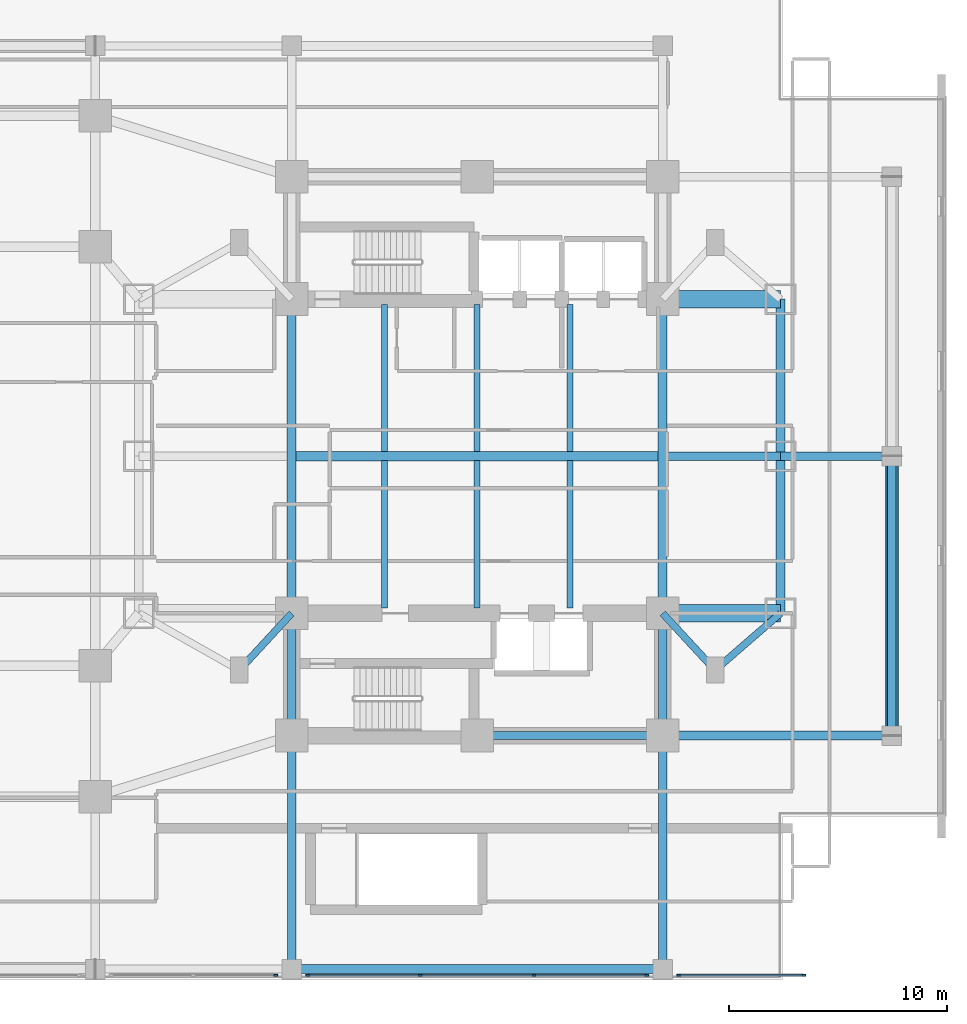
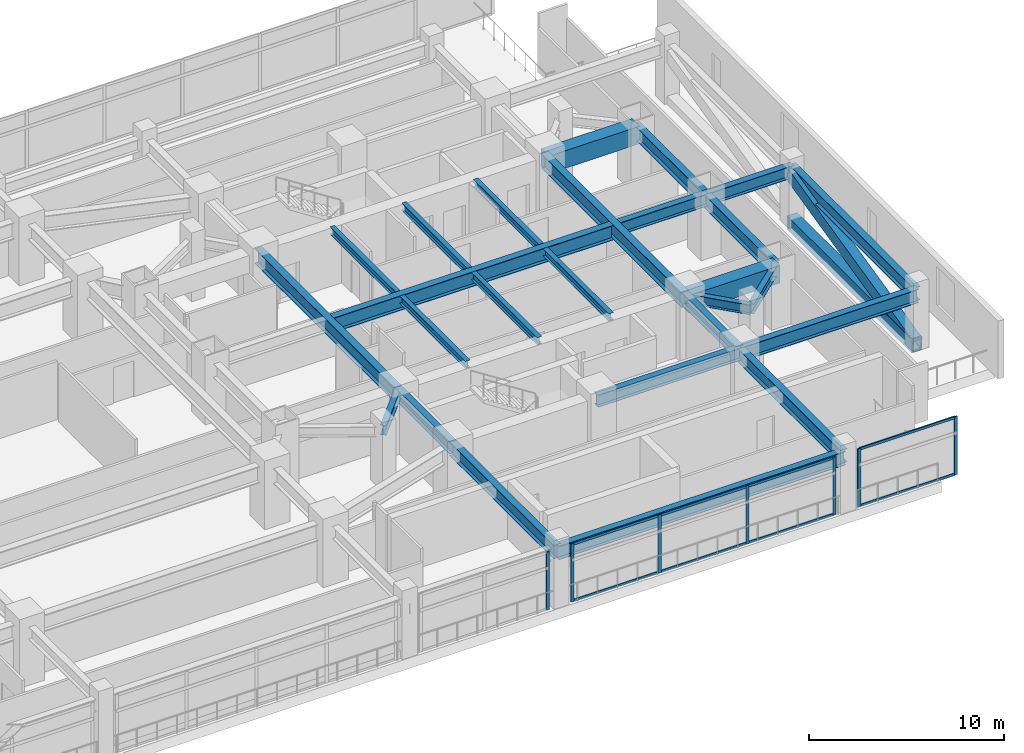
# One storey, part 8 of 27: 26 beams, 17 members, 3 elements without a shape of their own.
"""IFC4 building model written with IfcOpenShell, lengths in metres."""

from ifc_helpers import new_model, si_unit, direction, frame, origin, origin_2d, place, context, subcontext, project, spatial, rectangle, hollow_rectangle, i_section, extrude, material, material_profile, profile_set, type_object, element, aggregate, save


model = new_model("IFC4")

# Units and contexts
model_context = context("Model", 3, precision=1e-05, world=origin(), true_north=direction((0.0, 1.0)))
body_context = subcontext(model_context, "Body", "Model", "MODEL_VIEW")
ifc_project = project(units=[si_unit("LENGTHUNIT", "METRE"), si_unit("AREAUNIT", "SQUARE_METRE"), si_unit("VOLUMEUNIT", "CUBIC_METRE"), si_unit("PLANEANGLEUNIT", "RADIAN"), si_unit("MASSUNIT", "GRAM", prefix="KILO")], contexts=[model_context])

# Site, building, storey
site_placement = place(None, origin())
site = spatial("IfcSite", under=ifc_project, at=site_placement, CompositionType="ELEMENT")
building_placement = place(site_placement, origin())
building = spatial("IfcBuilding", under=site, at=building_placement, Name="Mirazonda Arch Towers", CompositionType="ELEMENT")
storey_placement = place(building_placement, frame((0.0, 0.0, 18.10009765625)))
storey = spatial("IfcBuildingStorey", under=building, at=storey_placement, Name="L04", CompositionType="ELEMENT", Elevation=18.10009765625)

# Beams
ifc_material_1 = material(Name="Steel ASTM A992 Grade 50", Category="steel")
ifc_material_profile_1 = material_profile(ifc_material_1, i_section(OverallWidth=0.39990234375, OverallDepth=0.85595703125, WebThickness=0.018310546875, FlangeThickness=0.029296875, at=origin_2d()), Name="W33X201")
ifc_profile_set_1 = profile_set([ifc_material_profile_1], Name="Steel ASTM A992 Grade 50")
beam_type_1 = type_object("IfcBeamType", Name="BM-EXT-W33X201", PredefinedType="USERDEFINED", material=ifc_profile_set_1)
for number, where, z_axis, x_axis, name in (
    (1, (90.39990234375, 20.800048828125, 3.221923828125), (0.0, 1.0, 0.0), (-1.0, 0.0, 0.0), "L04 Floor Beam BM-T2-L04-NS-E-20"),
    (2, (90.39990234375, 28.0, 3.221923828125), (0.0, 1.0, 0.0), (-1.0, 0.0, 0.0), "L04 Floor Beam BM-T2-L04-NS-E-28"),
):
    element("IfcBeam", number, at=place(storey_placement, frame(where, z_axis=z_axis, x_axis=x_axis)), inside=storey, type_object=beam_type_1, Name=name, ObjectType="GIRDER", PredefinedType="USERDEFINED", context=body_context, shape_type="SweptSolid", body=[
        extrude(i_section(OverallWidth=0.39990234375, OverallDepth=0.85595703125, WebThickness=0.018310546875, FlangeThickness=0.029296875, at=origin_2d()), origin(), (0.0, 0.0, 1.0), 7.199951171875),
    ])
beam_1_placement = place(storey_placement, frame((68.0, 4.5, 3.221923828125), z_axis=(1.0, 0.0, 0.0), x_axis=(0.0, 1.0, 0.0)))
element("IfcBeam", 3, at=beam_1_placement, inside=storey, type_object=beam_type_1, Name="L04 Floor Beam BM-POD-L04-PS-5", ObjectType="GIRDER", PredefinedType="USERDEFINED", context=body_context, shape_type="SweptSolid", body=[
    extrude(i_section(OverallWidth=0.39990234375, OverallDepth=0.85595703125, WebThickness=0.018310546875, FlangeThickness=0.029296875, at=origin_2d()), origin(), (0.0, 0.0, 1.0), 17.0),
])
beam_2_placement = place(storey_placement, frame((95.5, 15.199951171875, 3.221923828125), z_axis=(0.0, 1.0, 0.0), x_axis=(-1.0, 0.0, 0.0)))
element("IfcBeam", 4, at=beam_2_placement, inside=storey, type_object=beam_type_1, Name="L04 Floor Beam BM-POD-L04-PE-1", ObjectType="GIRDER", PredefinedType="USERDEFINED", context=body_context, shape_type="SweptSolid", body=[
    extrude(i_section(OverallWidth=0.39990234375, OverallDepth=0.85595703125, WebThickness=0.018310546875, FlangeThickness=0.029296875, at=origin_2d()), origin(), (0.0, 0.0, 1.0), 12.800048828125),
])
ifc_material_profile_2 = material_profile(ifc_material_1, i_section(OverallWidth=0.280029296875, OverallDepth=0.462890625, WebThickness=0.0107421875, FlangeThickness=0.017333984375, at=origin_2d()), Name="W18X76")
ifc_profile_set_2 = profile_set([ifc_material_profile_2], Name="Steel ASTM A992 Grade 50")
beam_type_2 = type_object("IfcBeamType", Name="BM-INT-W18X76", PredefinedType="JOIST", material=ifc_profile_set_2)
for number, where, z_axis, x_axis, name in (
    (5, (72.25, 21.0400390625, 3.41845703125), (0.0, 1.0, 0.0), (-1.0, 0.0, 0.0), "L04 Floor Beam BM-T2-L04-J-722-20"),
    (6, (72.25, 28.205078125, 3.41845703125), (0.0, 1.0, 0.0), (-1.0, 0.0, 0.0), "L04 Floor Beam BM-T2-L04-J-722-28"),
    (7, (76.5, 21.0400390625, 3.41845703125), (0.0, 1.0, 0.0), (-1.0, 0.0, 0.0), "L04 Floor Beam BM-T2-L04-J-765-20"),
    (8, (76.5, 28.205078125, 3.41845703125), (0.0, 1.0, 0.0), (-1.0, 0.0, 0.0), "L04 Floor Beam BM-T2-L04-J-765-28"),
    (9, (80.75, 21.0400390625, 3.41845703125), (0.0, 1.0, 0.0), (-1.0, 0.0, 0.0), "L04 Floor Beam BM-T2-L04-J-807-20"),
    (10, (80.75, 28.205078125, 3.41845703125), (0.0, 1.0, 0.0), (-1.0, 0.0, 0.0), "L04 Floor Beam BM-T2-L04-J-807-28"),
):
    element("IfcBeam", number, at=place(storey_placement, frame(where, z_axis=z_axis, x_axis=x_axis)), inside=storey, type_object=beam_type_2, Name=name, PredefinedType="JOIST", context=body_context, shape_type="SweptSolid", body=[
        extrude(i_section(OverallWidth=0.280029296875, OverallDepth=0.462890625, WebThickness=0.0107421875, FlangeThickness=0.017333984375, at=origin_2d()), origin(), (0.0, 0.0, 1.0), 6.7548828125),
    ])
ifc_material_profile_3 = material_profile(ifc_material_1, i_section(OverallWidth=0.324951171875, OverallDepth=0.615966796875, WebThickness=0.013916015625, FlangeThickness=0.021484375, at=origin_2d()), Name="W24X117")
ifc_profile_set_3 = profile_set([ifc_material_profile_3], Name="Steel ASTM A992 Grade 50")
beam_type_3 = type_object("IfcBeamType", Name="BM-INT-W24X117", PredefinedType="BEAM", material=ifc_profile_set_3)
for number, where, z_axis, x_axis, name in (
    (11, (65.60009765625, 18.199951171875, 3.341796875), (0.678251444854, 0.734829897019, 0.0), (-0.734829897019, 0.678251444854, 0.0), "L04 Floor Beam BM-T2-L04-PL-SW1"),
    (12, (87.39990234375, 18.199951171875, 3.341796875), (-0.678251444854, 0.734829897019, 0.0), (-0.734829897019, -0.678251444854, 0.0), "L04 Floor Beam BM-T2-L04-PL-SE1"),
):
    element("IfcBeam", number, at=place(storey_placement, frame(where, z_axis=z_axis, x_axis=x_axis)), inside=storey, type_object=beam_type_3, Name=name, PredefinedType="BEAM", context=body_context, shape_type="SweptSolid", body=[
        extrude(i_section(OverallWidth=0.324951171875, OverallDepth=0.615966796875, WebThickness=0.013916015625, FlangeThickness=0.021484375, at=origin_2d()), origin(), (0.0, 0.0, 1.0), 3.538330078125),
    ])
beam_3_placement = place(storey_placement, frame((87.39990234375, 18.199951171875, 3.341796875), z_axis=(0.755676908098, 0.654944585876, 0.0), x_axis=(-0.654944585876, 0.755676908098, 0.0)))
element("IfcBeam", 13, at=beam_3_placement, inside=storey, type_object=beam_type_3, Name="L04 Floor Beam BM-T2-L04-PL-SE2", PredefinedType="BEAM", context=body_context, shape_type="SweptSolid", body=[
    extrude(i_section(OverallWidth=0.324951171875, OverallDepth=0.615966796875, WebThickness=0.013916015625, FlangeThickness=0.021484375, at=origin_2d()), origin(), (0.0, 0.0, 1.0), 3.969970703125),
])
ifc_material_profile_4 = material_profile(ifc_material_1, i_section(OverallWidth=0.381103515625, OverallDepth=0.77294921875, WebThickness=0.0166015625, FlangeThickness=0.027099609375, at=origin_2d()), Name="W30X173")
ifc_profile_set_4 = profile_set([ifc_material_profile_4], Name="Steel ASTM A992 Grade 50")
beam_type_4 = type_object("IfcBeamType", Name="BM-INT-W30X173", PredefinedType="USERDEFINED", material=ifc_profile_set_4)
beam_4_placement = place(storey_placement, frame((76.5, 15.199951171875, 3.263427734375), z_axis=(1.0, 0.0, 0.0), x_axis=(0.0, 1.0, 0.0)))
element("IfcBeam", 14, at=beam_4_placement, inside=storey, type_object=beam_type_4, Name="L04 Floor Beam BM-T2-L04-CS2", ObjectType="GIRDER", PredefinedType="USERDEFINED", context=body_context, shape_type="SweptSolid", body=[
    extrude(i_section(OverallWidth=0.381103515625, OverallDepth=0.77294921875, WebThickness=0.0166015625, FlangeThickness=0.027099609375, at=origin_2d()), origin(), (0.0, 0.0, 1.0), 8.5),
])
for number, where, z_axis, x_axis, name in (
    (15, (68.0, 15.199951171875, 3.263427734375), (0.0, 1.0, 0.0), (-1.0, 0.0, 0.0), "L04 Floor Beam BM-T2-L04-CSW"),
    (16, (85.0, 15.199951171875, 3.263427734375), (0.0, 1.0, 0.0), (-1.0, 0.0, 0.0), "L04 Floor Beam BM-T2-L04-CSE"),
):
    element("IfcBeam", number, at=place(storey_placement, frame(where, z_axis=z_axis, x_axis=x_axis)), inside=storey, type_object=beam_type_4, Name=name, ObjectType="GIRDER", PredefinedType="USERDEFINED", context=body_context, shape_type="SweptSolid", body=[
        extrude(i_section(OverallWidth=0.381103515625, OverallDepth=0.77294921875, WebThickness=0.0166015625, FlangeThickness=0.027099609375, at=origin_2d()), origin(), (0.0, 0.0, 1.0), 5.60009765625),
    ])
beam_5_placement = place(storey_placement, frame((85.208984375, 28.0, 3.263427734375), z_axis=(1.0, 0.0, 0.0), x_axis=(0.0, 1.0, 0.0)))
element("IfcBeam", 17, at=beam_5_placement, inside=storey, type_object=beam_type_4, Name="L04 Floor Beam BM-T2-L04-GE2", ObjectType="GIRDER", PredefinedType="USERDEFINED", context=body_context, shape_type="SweptSolid", body=[
    extrude(i_section(OverallWidth=0.381103515625, OverallDepth=0.77294921875, WebThickness=0.0166015625, FlangeThickness=0.027099609375, at=origin_2d()), origin(), (0.0, 0.0, 1.0), 5.19091796875),
])
beam_6_placement = place(storey_placement, frame((90.39990234375, 28.0, 3.263427734375), z_axis=(1.0, 0.0, 0.0), x_axis=(0.0, 1.0, 0.0)))
element("IfcBeam", 18, at=beam_6_placement, inside=storey, type_object=beam_type_4, Name="L04 Floor Beam BM-POD-L04-PCE-2", ObjectType="GIRDER", PredefinedType="USERDEFINED", context=body_context, shape_type="SweptSolid", body=[
    extrude(i_section(OverallWidth=0.381103515625, OverallDepth=0.77294921875, WebThickness=0.0166015625, FlangeThickness=0.027099609375, at=origin_2d()), origin(), (0.0, 0.0, 1.0), 5.10009765625),
])
ifc_material_profile_5 = material_profile(ifc_material_1, i_section(OverallWidth=0.39990234375, OverallDepth=0.85595703125, WebThickness=0.018310546875, FlangeThickness=0.029296875, at=origin_2d()), Name="W33X201")
ifc_profile_set_5 = profile_set([ifc_material_profile_5], Name="Steel ASTM A992 Grade 50")
beam_type_5 = type_object("IfcBeamType", Name="BM-INT-W33X201", PredefinedType="USERDEFINED", material=ifc_profile_set_5)
for number, where, z_axis, x_axis, name in (
    (19, (68.0, 4.5, 3.221923828125), (0.0, 1.0, 0.0), (-1.0, 0.0, 0.0), "L04 Floor Beam BM-POD-L04-PCS-6"),
    (20, (85.0, 4.5, 3.221923828125), (0.0, 1.0, 0.0), (-1.0, 0.0, 0.0), "L04 Floor Beam BM-POD-L04-PCS-7"),
):
    element("IfcBeam", number, at=place(storey_placement, frame(where, z_axis=z_axis, x_axis=x_axis)), inside=storey, type_object=beam_type_5, Name=name, ObjectType="GIRDER", PredefinedType="USERDEFINED", context=body_context, shape_type="SweptSolid", body=[
        extrude(i_section(OverallWidth=0.39990234375, OverallDepth=0.85595703125, WebThickness=0.018310546875, FlangeThickness=0.029296875, at=origin_2d()), origin(), (0.0, 0.0, 1.0), 10.699951171875),
    ])
beam_7_placement = place(storey_placement, frame((85.0, 15.199951171875, 3.221923828125), z_axis=(1.0, 0.0, 0.0), x_axis=(0.0, 1.0, 0.0)))
element("IfcBeam", 21, at=beam_7_placement, inside=storey, type_object=beam_type_5, Name="L04 Floor Beam BM-POD-L04-PCE-1", ObjectType="GIRDER", PredefinedType="USERDEFINED", context=body_context, shape_type="SweptSolid", body=[
    extrude(i_section(OverallWidth=0.39990234375, OverallDepth=0.85595703125, WebThickness=0.018310546875, FlangeThickness=0.029296875, at=origin_2d()), origin(), (0.0, 0.0, 1.0), 10.5),
])
ifc_material_profile_6 = material_profile(ifc_material_1, i_section(OverallWidth=0.41796875, OverallDepth=0.927001953125, WebThickness=0.019287109375, FlangeThickness=0.031982421875, at=origin_2d()), Name="W36X231")
ifc_profile_set_6 = profile_set([ifc_material_profile_6], Name="Steel ASTM A992 Grade 50")
beam_type_6 = type_object("IfcBeamType", Name="BM-INT-W36X231", PredefinedType="USERDEFINED", material=ifc_profile_set_6)
beam_8_placement = place(storey_placement, frame((68.208984375, 28.0, 3.1865234375), z_axis=(1.0, 0.0, 0.0), x_axis=(0.0, 1.0, 0.0)))
element("IfcBeam", 22, at=beam_8_placement, inside=storey, type_object=beam_type_6, Name="L04 Floor Beam BM-T2-L04-GC2", ObjectType="GIRDER", PredefinedType="USERDEFINED", context=body_context, shape_type="SweptSolid", body=[
    extrude(i_section(OverallWidth=0.41796875, OverallDepth=0.927001953125, WebThickness=0.019287109375, FlangeThickness=0.031982421875, at=origin_2d()), origin(), (0.0, 0.0, 1.0), 16.58203125),
])
for number, where, z_axis, x_axis, name in (
    (23, (68.0, 20.800048828125, 3.1865234375), (0.0, 1.0, 0.0), (-1.0, 0.0, 0.0), "L04 Floor Beam BM-T2-L04-NS-CW-FULL"),
    (24, (85.0, 20.800048828125, 3.1865234375), (0.0, 1.0, 0.0), (-1.0, 0.0, 0.0), "L04 Floor Beam BM-T2-L04-NS-CE-FULL"),
):
    element("IfcBeam", number, at=place(storey_placement, frame(where, z_axis=z_axis, x_axis=x_axis)), inside=storey, type_object=beam_type_6, Name=name, ObjectType="GIRDER", PredefinedType="USERDEFINED", context=body_context, shape_type="SweptSolid", body=[
        extrude(i_section(OverallWidth=0.41796875, OverallDepth=0.927001953125, WebThickness=0.019287109375, FlangeThickness=0.031982421875, at=origin_2d()), origin(), (0.0, 0.0, 1.0), 14.39990234375),
    ])
ifc_material_2 = material(Name="Concrete C60/75", Category="concrete")
ifc_material_profile_7 = material_profile(ifc_material_2, rectangle(XDim=0.800048828125, YDim=1.10009765625, at=origin_2d()), Name="RCCB800x1100")
ifc_profile_set_7 = profile_set([ifc_material_profile_7], Name="Concrete C60/75")
beam_type_7 = type_object("IfcBeamType", Name="CB-INT-RCCB800x1100", PredefinedType="SPANDREL", material=ifc_profile_set_7)
for number, where, z_axis, x_axis, name in (
    (25, (85.0, 35.199951171875, 3.099853515625), (1.0, 0.0, 0.0), (0.0, 1.0, 0.0), "L04 Floor Beam CB-T2-L04-NE"),
    (26, (85.0, 20.800048828125, 3.099853515625), (1.0, 0.0, 0.0), (0.0, 1.0, 0.0), "L04 Floor Beam CB-T2-L04-SE"),
):
    element("IfcBeam", number, at=place(storey_placement, frame(where, z_axis=z_axis, x_axis=x_axis)), inside=storey, type_object=beam_type_7, Name=name, PredefinedType="SPANDREL", context=body_context, shape_type="SweptSolid", body=[
        extrude(rectangle(XDim=0.800048828125, YDim=1.10009765625, at=origin_2d()), origin(), (0.0, 0.0, 1.0), 5.39990234375),
    ])

# Members
ifc_material_3 = material(Name="Steel ASTM A572 Grade 50", Category="steel")
ifc_material_profile_8 = material_profile(ifc_material_3, hollow_rectangle(XDim=0.60009765625, YDim=0.85009765625, WallThickness=0.048095703125, at=origin_2d()), Name="BELTCHORD850x600x48")
ifc_profile_set_8 = profile_set([ifc_material_profile_8], Name="Steel ASTM A572 Grade 50")
member_type_1 = type_object("IfcMemberType", Name="MBR-INT-BELTCHORD850x600x48", PredefinedType="CHORD", material=ifc_profile_set_8)
member_1_placement = place(storey_placement, frame((95.5, 15.199951171875, 0.0498046875), z_axis=(0.0, 1.0, 0.0), x_axis=(-1.0, 0.0, 0.0)))
element("IfcMember", 27, at=member_1_placement, inside=storey, type_object=member_type_1, Name="L04 Transfer Truss Bottom Chord 03", PredefinedType="CHORD", context=body_context, shape_type="SweptSolid", body=[
    extrude(hollow_rectangle(XDim=0.60009765625, YDim=0.85009765625, WallThickness=0.048095703125, at=origin_2d()), origin(), (0.0, 0.0, 1.0), 12.800048828125),
])
ifc_material_profile_9 = material_profile(ifc_material_3, hollow_rectangle(XDim=0.550048828125, YDim=0.800048828125, WallThickness=0.044921875, at=origin_2d()), Name="OUTRIGGER800x550x45")
ifc_profile_set_9 = profile_set([ifc_material_profile_9], Name="Steel ASTM A572 Grade 50")
member_type_2 = type_object("IfcMemberType", Name="MBR-INT-OUTRIGGER800x550x45", PredefinedType="BRACE", material=ifc_profile_set_9)
member_2_placement = place(storey_placement, frame((95.5, 15.199951171875, 0.0498046875), z_axis=(0.0, 0.973616503962, 0.228190497638), x_axis=(-1.0, 0.0, 0.0)))
element("IfcMember", 28, at=member_2_placement, inside=storey, type_object=member_type_2, Name="L04 Transfer Truss Diagonal 03A", PredefinedType="BRACE", context=body_context, shape_type="SweptSolid", body=[
    extrude(hollow_rectangle(XDim=0.550048828125, YDim=0.800048828125, WallThickness=0.044921875, at=origin_2d()), origin(), (0.0, 0.0, 1.0), 13.14697265625),
])

# Curtain wall, members
ifc_material_4 = material(Name="Anodised Aluminium and Low-E Glass", Category="aluminium")
curtain_wall_type = type_object("IfcCurtainWallType", Name="CW-POD-STORE", PredefinedType="NOTDEFINED", material=ifc_material_4)
curtain_wall_1_placement = place(storey_placement, origin())
curtain_wall_1 = element("IfcCurtainWall", 29, at=curtain_wall_1_placement, inside=storey, type_object=curtain_wall_type, Name="L04 Curtain Wall CW-L04-S1-S1", PredefinedType="NOTDEFINED")
ifc_material_5 = material(Name="Anodised Aluminium Alloy", Category="aluminium")
ifc_material_profile_10 = material_profile(ifc_material_5, rectangle(XDim=0.080078125, YDim=0.179931640625, at=origin_2d()), Name="ALU-MULL-80x180")
ifc_profile_set_10 = profile_set([ifc_material_profile_10], Name="Anodised Aluminium Alloy")
member_type_3 = type_object("IfcMemberType", Name="MULL-CW-POD-STORE", PredefinedType="MULLION", material=ifc_profile_set_10)
member_3_placement = place(storey_placement, frame((91.4599609375, 4.219970703125, 0.0), z_axis=(0.0, 0.0, 1.0), x_axis=(0.0, -1.0, 0.0)))
member_3 = element("IfcMember", 30, at=member_3_placement, type_object=member_type_3, Name="CW-102 mullion 1", PredefinedType="MULLION", context=body_context, shape_type="SweptSolid", body=[
    extrude(rectangle(XDim=0.080078125, YDim=0.179931640625, at=origin_2d()), origin(), (0.0, 0.0, 1.0), 3.6298828125),
])
member_4_placement = place(storey_placement, frame((85.72998046875, 4.219970703125, 0.0), z_axis=(0.0, 0.0, 1.0), x_axis=(0.0, -1.0, 0.0)))
member_4 = element("IfcMember", 31, at=member_4_placement, type_object=member_type_3, Name="CW-102 mullion 2", PredefinedType="MULLION", context=body_context, shape_type="SweptSolid", body=[
    extrude(rectangle(XDim=0.080078125, YDim=0.179931640625, at=origin_2d()), origin(), (0.0, 0.0, 1.0), 3.6298828125),
])

curtain_wall_2_placement = place(storey_placement, origin())
curtain_wall_2 = element("IfcCurtainWall", 32, at=curtain_wall_2_placement, inside=storey, type_object=curtain_wall_type, Name="L04 Curtain Wall CW-L04-S1-S2", PredefinedType="NOTDEFINED")
member_5_placement = place(storey_placement, frame((84.27001953125, 4.219970703125, 0.0), z_axis=(0.0, 0.0, 1.0), x_axis=(0.0, -1.0, 0.0)))
member_5 = element("IfcMember", 33, at=member_5_placement, type_object=member_type_3, Name="CW-102 mullion 1", PredefinedType="MULLION", context=body_context, shape_type="SweptSolid", body=[
    extrude(rectangle(XDim=0.080078125, YDim=0.179931640625, at=origin_2d()), origin(), (0.0, 0.0, 1.0), 3.6298828125),
])
member_6_placement = place(storey_placement, frame((79.103271484375, 4.219970703125, 0.0), z_axis=(0.0, 0.0, 1.0), x_axis=(0.0, -1.0, 0.0)))
member_6 = element("IfcMember", 34, at=member_6_placement, type_object=member_type_3, Name="CW-102 mullion 2", PredefinedType="MULLION", context=body_context, shape_type="SweptSolid", body=[
    extrude(rectangle(XDim=0.080078125, YDim=0.179931640625, at=origin_2d()), origin(), (0.0, 0.0, 1.0), 3.6298828125),
])
member_7_placement = place(storey_placement, frame((73.896728515625, 4.219970703125, 0.0), z_axis=(0.0, 0.0, 1.0), x_axis=(0.0, -1.0, 0.0)))
member_7 = element("IfcMember", 35, at=member_7_placement, type_object=member_type_3, Name="CW-102 mullion 3", PredefinedType="MULLION", context=body_context, shape_type="SweptSolid", body=[
    extrude(rectangle(XDim=0.080078125, YDim=0.179931640625, at=origin_2d()), origin(), (0.0, 0.0, 1.0), 3.6298828125),
])
member_8_placement = place(storey_placement, frame((68.72998046875, 4.219970703125, 0.0), z_axis=(0.0, 0.0, 1.0), x_axis=(0.0, -1.0, 0.0)))
member_8 = element("IfcMember", 36, at=member_8_placement, type_object=member_type_3, Name="CW-102 mullion 4", PredefinedType="MULLION", context=body_context, shape_type="SweptSolid", body=[
    extrude(rectangle(XDim=0.080078125, YDim=0.179931640625, at=origin_2d()), origin(), (0.0, 0.0, 1.0), 3.6298828125),
])

# Curtain wall, member
curtain_wall_3_placement = place(storey_placement, origin())
curtain_wall_3 = element("IfcCurtainWall", 37, at=curtain_wall_3_placement, inside=storey, type_object=curtain_wall_type, Name="L04 Curtain Wall CW-L04-S1-S3", PredefinedType="NOTDEFINED")
member_9_placement = place(storey_placement, frame((67.27001953125, 4.219970703125, 0.0), z_axis=(0.0, 0.0, 1.0), x_axis=(0.0, -1.0, 0.0)))
member_9 = element("IfcMember", 38, at=member_9_placement, type_object=member_type_3, Name="CW-102 mullion 1", PredefinedType="MULLION", context=body_context, shape_type="SweptSolid", body=[
    extrude(rectangle(XDim=0.080078125, YDim=0.179931640625, at=origin_2d()), origin(), (0.0, 0.0, 1.0), 3.6298828125),
])
aggregate(curtain_wall_3, [member_9])

# Member
ifc_material_profile_11 = material_profile(ifc_material_5, rectangle(XDim=0.080078125, YDim=0.159912109375, at=origin_2d()), Name="ALU-TRAN-80x160")
ifc_profile_set_11 = profile_set([ifc_material_profile_11], Name="Anodised Aluminium Alloy")
member_type_4 = type_object("IfcMemberType", Name="TRAN-CW-POD-STORE", PredefinedType="USERDEFINED", material=ifc_profile_set_11)
member_10_placement = place(storey_placement, frame((91.419921875, 4.219970703125, 0.039794921875), z_axis=(-1.0, 0.0, 0.0), x_axis=(0.0, -1.0, 0.0)))
member_10 = element("IfcMember", 39, at=member_10_placement, type_object=member_type_4, Name="CW-102 transom 1.1", ObjectType="TRANSOM", PredefinedType="USERDEFINED", context=body_context, shape_type="SweptSolid", body=[
    extrude(rectangle(XDim=0.080078125, YDim=0.159912109375, at=origin_2d()), origin(), (0.0, 0.0, 1.0), 5.64990234375),
])

member_11_placement = place(storey_placement, frame((91.419921875, 4.219970703125, 3.58984375), z_axis=(-1.0, 0.0, 0.0), x_axis=(0.0, -1.0, 0.0)))
member_11 = element("IfcMember", 40, at=member_11_placement, type_object=member_type_4, Name="CW-102 transom 1.2", ObjectType="TRANSOM", PredefinedType="USERDEFINED", context=body_context, shape_type="SweptSolid", body=[
    extrude(rectangle(XDim=0.080078125, YDim=0.159912109375, at=origin_2d()), origin(), (0.0, 0.0, 1.0), 5.64990234375),
])

aggregate(curtain_wall_1, [member_3, member_4, member_10, member_11])

member_12_placement = place(storey_placement, frame((84.22998046875, 4.219970703125, 0.039794921875), z_axis=(-1.0, 0.0, 0.0), x_axis=(0.0, -1.0, 0.0)))
member_12 = element("IfcMember", 41, at=member_12_placement, type_object=member_type_4, Name="CW-102 transom 1.1", ObjectType="TRANSOM", PredefinedType="USERDEFINED", context=body_context, shape_type="SweptSolid", body=[
    extrude(rectangle(XDim=0.080078125, YDim=0.159912109375, at=origin_2d()), origin(), (0.0, 0.0, 1.0), 5.086669921875),
])

member_13_placement = place(storey_placement, frame((84.22998046875, 4.219970703125, 3.58984375), z_axis=(-1.0, 0.0, 0.0), x_axis=(0.0, -1.0, 0.0)))
member_13 = element("IfcMember", 42, at=member_13_placement, type_object=member_type_4, Name="CW-102 transom 1.2", ObjectType="TRANSOM", PredefinedType="USERDEFINED", context=body_context, shape_type="SweptSolid", body=[
    extrude(rectangle(XDim=0.080078125, YDim=0.159912109375, at=origin_2d()), origin(), (0.0, 0.0, 1.0), 5.086669921875),
])

member_14_placement = place(storey_placement, frame((79.063232421875, 4.219970703125, 0.039794921875), z_axis=(-1.0, 0.0, 0.0), x_axis=(0.0, -1.0, 0.0)))
member_14 = element("IfcMember", 43, at=member_14_placement, type_object=member_type_4, Name="CW-102 transom 2.1", ObjectType="TRANSOM", PredefinedType="USERDEFINED", context=body_context, shape_type="SweptSolid", body=[
    extrude(rectangle(XDim=0.080078125, YDim=0.159912109375, at=origin_2d()), origin(), (0.0, 0.0, 1.0), 5.12646484375),
])

member_15_placement = place(storey_placement, frame((79.063232421875, 4.219970703125, 3.58984375), z_axis=(-1.0, 0.0, 0.0), x_axis=(0.0, -1.0, 0.0)))
member_15 = element("IfcMember", 44, at=member_15_placement, type_object=member_type_4, Name="CW-102 transom 2.2", ObjectType="TRANSOM", PredefinedType="USERDEFINED", context=body_context, shape_type="SweptSolid", body=[
    extrude(rectangle(XDim=0.080078125, YDim=0.159912109375, at=origin_2d()), origin(), (0.0, 0.0, 1.0), 5.12646484375),
])

member_16_placement = place(storey_placement, frame((73.856689453125, 4.219970703125, 0.039794921875), z_axis=(-1.0, 0.0, 0.0), x_axis=(0.0, -1.0, 0.0)))
member_16 = element("IfcMember", 45, at=member_16_placement, type_object=member_type_4, Name="CW-102 transom 3.1", ObjectType="TRANSOM", PredefinedType="USERDEFINED", context=body_context, shape_type="SweptSolid", body=[
    extrude(rectangle(XDim=0.080078125, YDim=0.159912109375, at=origin_2d()), origin(), (0.0, 0.0, 1.0), 5.086669921875),
])

member_17_placement = place(storey_placement, frame((73.856689453125, 4.219970703125, 3.58984375), z_axis=(-1.0, 0.0, 0.0), x_axis=(0.0, -1.0, 0.0)))
member_17 = element("IfcMember", 46, at=member_17_placement, type_object=member_type_4, Name="CW-102 transom 3.2", ObjectType="TRANSOM", PredefinedType="USERDEFINED", context=body_context, shape_type="SweptSolid", body=[
    extrude(rectangle(XDim=0.080078125, YDim=0.159912109375, at=origin_2d()), origin(), (0.0, 0.0, 1.0), 5.086669921875),
])

aggregate(curtain_wall_2, [member_5, member_6, member_7, member_8, member_12, member_13, member_14, member_15, member_16, member_17])

save(model, "model.ifc")
